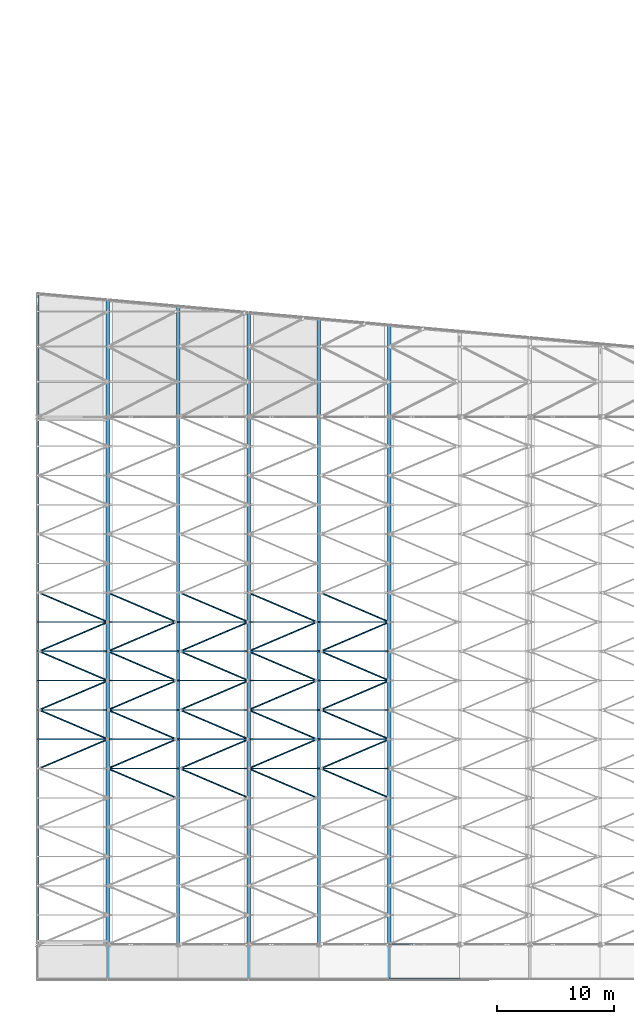
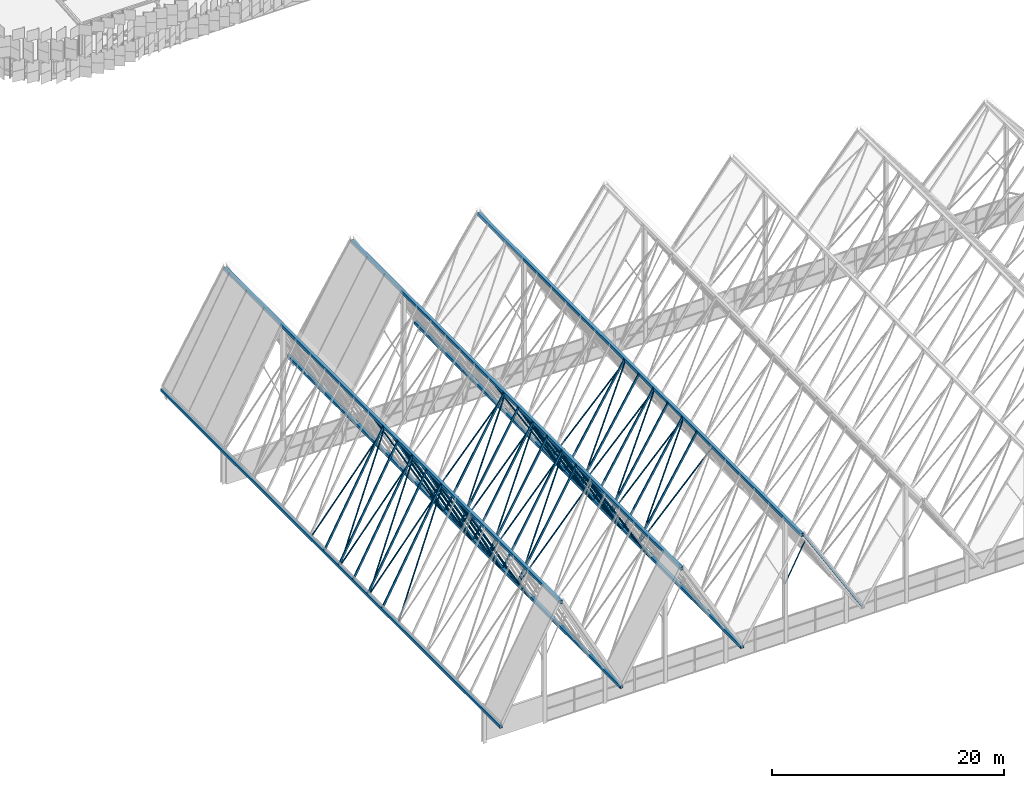
# One storey, part 15 of 483: 70 members, 1 beam.
"""IFC4 building model written with IfcOpenShell, lengths in metres."""

from ifc_helpers import new_model, si_unit, direction, frame, origin, origin_2d, place, context, subcontext, project, spatial, hollow_rectangle, hollow_circle, extrude, material, material_profile, profile_set, type_object, element, save


model = new_model("IFC4")

# Units and contexts
model_context = context("Model", 3, precision=1e-05, world=origin(), true_north=direction((0.0, 1.0)))
body_context = subcontext(model_context, "Body", "Model", "MODEL_VIEW")
ifc_project = project(units=[si_unit("LENGTHUNIT", "METRE"), si_unit("AREAUNIT", "SQUARE_METRE"), si_unit("VOLUMEUNIT", "CUBIC_METRE"), si_unit("PLANEANGLEUNIT", "RADIAN"), si_unit("MASSUNIT", "GRAM", prefix="KILO")], contexts=[model_context])

# Site, building, storey
site_placement = place(None, origin())
site = spatial("IfcSite", under=ifc_project, at=site_placement, CompositionType="ELEMENT")
building_placement = place(site_placement, origin())
building = spatial("IfcBuilding", under=site, at=building_placement, Name="Parallax Yard Mobility Hub", CompositionType="ELEMENT")
storey_placement = place(building_placement, frame((0.0, 0.0, 13.199951171875)))
storey = spatial("IfcBuildingStorey", under=building, at=storey_placement, Name="L04", CompositionType="ELEMENT", Elevation=13.199951171875)

# Members
ifc_material = material(Name="Steel ASTM A500 Gr C", Category="steel")
ifc_material_profile_1 = material_profile(ifc_material, hollow_rectangle(XDim=0.25390625, YDim=0.3046875, WallThickness=0.009521484375, at=origin_2d()), Name="HSS305x254x9.5")
ifc_profile_set_1 = profile_set([ifc_material_profile_1], Name="Steel ASTM A500 Gr C")
member_type_1 = type_object("IfcMemberType", Name="Fold chord HSS305x254x9.5", PredefinedType="CHORD", material=ifc_profile_set_1)
member_1_placement = place(storey_placement, frame((9.0, 4.5, 3.452392578125), z_axis=(0.0, 1.0, 0.0), x_axis=(-1.0, 0.0, 0.0)))
element("IfcMember", 1, at=member_1_placement, inside=storey, type_object=member_type_1, Name="Fold line F1 chord", PredefinedType="CHORD", context=body_context, shape_type="SweptSolid", body=[
    extrude(hollow_rectangle(XDim=0.25390625, YDim=0.3046875, WallThickness=0.009521484375, at=origin_2d()), origin(), (0.0, 0.0, 1.0), 58.5),
])
ifc_material_profile_2 = material_profile(ifc_material, hollow_rectangle(XDim=0.3046875, YDim=0.3046875, WallThickness=0.0126953125, at=origin_2d()), Name="HSS305x305x12.7")
ifc_profile_set_2 = profile_set([ifc_material_profile_2], Name="Steel ASTM A500 Gr C")
member_type_2 = type_object("IfcMemberType", Name="Fold chord HSS305x305x12.7", PredefinedType="CHORD", material=ifc_profile_set_2)
member_2_placement = place(storey_placement, frame((15.0, 4.5, 14.452392578125), z_axis=(0.0, 1.0, 0.0), x_axis=(-1.0, 0.0, 0.0)))
element("IfcMember", 2, at=member_2_placement, inside=storey, type_object=member_type_2, Name="Fold line F2 chord", PredefinedType="CHORD", context=body_context, shape_type="SweptSolid", body=[
    extrude(hollow_rectangle(XDim=0.3046875, YDim=0.3046875, WallThickness=0.0126953125, at=origin_2d()), origin(), (0.0, 0.0, 1.0), 57.96435546875),
])
member_3_placement = place(storey_placement, frame((27.0, 4.5, 13.785400390625), z_axis=(0.0, 1.0, 0.0), x_axis=(-1.0, 0.0, 0.0)))
element("IfcMember", 3, at=member_3_placement, inside=storey, type_object=member_type_2, Name="Fold line F4 chord", PredefinedType="CHORD", context=body_context, shape_type="SweptSolid", body=[
    extrude(hollow_rectangle(XDim=0.3046875, YDim=0.3046875, WallThickness=0.0126953125, at=origin_2d()), origin(), (0.0, 0.0, 1.0), 56.892822265625),
])
member_4_placement = place(storey_placement, frame((39.0, 4.5, 13.119384765625), z_axis=(0.0, 1.0, 0.0), x_axis=(-1.0, 0.0, 0.0)))
element("IfcMember", 4, at=member_4_placement, inside=storey, type_object=member_type_2, Name="Fold line F6 chord", PredefinedType="CHORD", context=body_context, shape_type="SweptSolid", body=[
    extrude(hollow_rectangle(XDim=0.3046875, YDim=0.3046875, WallThickness=0.0126953125, at=origin_2d()), origin(), (0.0, 0.0, 1.0), 55.8212890625),
])
ifc_material_profile_3 = material_profile(ifc_material, hollow_rectangle(XDim=0.3046875, YDim=0.3046875, WallThickness=0.009521484375, at=origin_2d()), Name="HSS305x305x9.5")
ifc_profile_set_3 = profile_set([ifc_material_profile_3], Name="Steel ASTM A500 Gr C")
member_type_3 = type_object("IfcMemberType", Name="Fold chord HSS305x305x9.5", PredefinedType="CHORD", material=ifc_profile_set_3)
member_5_placement = place(storey_placement, frame((21.0, 4.5, 3.452392578125), z_axis=(0.0, 1.0, 0.0), x_axis=(-1.0, 0.0, 0.0)))
element("IfcMember", 5, at=member_5_placement, inside=storey, type_object=member_type_3, Name="Fold line F3 chord", PredefinedType="CHORD", context=body_context, shape_type="SweptSolid", body=[
    extrude(hollow_rectangle(XDim=0.3046875, YDim=0.3046875, WallThickness=0.009521484375, at=origin_2d()), origin(), (0.0, 0.0, 1.0), 57.4287109375),
])
member_6_placement = place(storey_placement, frame((33.0, 4.5, 3.452392578125), z_axis=(0.0, 1.0, 0.0), x_axis=(-1.0, 0.0, 0.0)))
element("IfcMember", 6, at=member_6_placement, inside=storey, type_object=member_type_3, Name="Fold line F5 chord", PredefinedType="CHORD", context=body_context, shape_type="SweptSolid", body=[
    extrude(hollow_rectangle(XDim=0.3046875, YDim=0.3046875, WallThickness=0.009521484375, at=origin_2d()), origin(), (0.0, 0.0, 1.0), 56.357177734375),
])
ifc_material_profile_4 = material_profile(ifc_material, hollow_circle(Radius=0.05712890625, WallThickness=0.006103515625, at=origin_2d()), Name="HSS114.3x6.0")
ifc_profile_set_4 = profile_set([ifc_material_profile_4], Name="Steel ASTM A500 Gr C")
member_type_4 = type_object("IfcMemberType", Name="Knee brace HSS114.3x6.0", PredefinedType="BRACE", material=ifc_profile_set_4)
member_7_placement = place(storey_placement, frame((39.0, 7.5, 6.2001953125), z_axis=(0.460015544086, 0.0, 0.887910862193), x_axis=(0.0, 1.0, 0.0)))
element("IfcMember", 7, at=member_7_placement, inside=storey, type_object=member_type_4, Name="Gable knee brace F6 south east", PredefinedType="BRACE", context=body_context, shape_type="SweptSolid", body=[
    extrude(hollow_circle(Radius=0.05712890625, WallThickness=0.006103515625, at=origin_2d()), origin(), (0.0, 0.0, 1.0), 4.34765625),
])
ifc_material_profile_5 = material_profile(ifc_material, hollow_circle(Radius=0.06982421875, WallThickness=0.00634765625, at=origin_2d()), Name="HSS139.7x6.4")
ifc_profile_set_5 = profile_set([ifc_material_profile_5], Name="Steel ASTM A500 Gr C")
member_type_5 = type_object("IfcMemberType", Name="Plate diagonal HSS139.7x6.4", PredefinedType="BRACE", material=ifc_profile_set_5)
member_8_placement = place(storey_placement, frame((32.84765625, 20.0, 3.41357421875), z_axis=(-0.484498667157, 0.207133698718, 0.849915685452), x_axis=(-0.393103707527, -0.919494140888, 0.0)))
element("IfcMember", 8, at=member_8_placement, inside=storey, type_object=member_type_5, Name="Plate diagonal plate F4-F5 bay 6", PredefinedType="BRACE", context=body_context, shape_type="SweptSolid", body=[
    extrude(hollow_circle(Radius=0.06982421875, WallThickness=0.00634765625, at=origin_2d()), origin(), (0.0, 0.0, 1.0), 12.069580078125),
])
member_9_placement = place(storey_placement, frame((39.0, 20.0, 13.01513671875), z_axis=(-0.507735199294, 0.217067820673, -0.833718494833), x_axis=(-0.393103707527, -0.919494140888, 0.0)))
element("IfcMember", 9, at=member_9_placement, inside=storey, type_object=member_type_5, Name="Plate diagonal plate F5-F6 bay 6", PredefinedType="BRACE", context=body_context, shape_type="SweptSolid", body=[
    extrude(hollow_circle(Radius=0.06982421875, WallThickness=0.00634765625, at=origin_2d()), origin(), (0.0, 0.0, 1.0), 11.51708984375),
])
member_10_placement = place(storey_placement, frame((20.84765625, 20.0, 3.413818359375), z_axis=(-0.462901196047, 0.197900310935, 0.864035849736), x_axis=(-0.393103707527, -0.919494140888, 0.0)))
element("IfcMember", 10, at=member_10_placement, inside=storey, type_object=member_type_5, Name="Plate diagonal plate F2-F3 bay 6", PredefinedType="BRACE", context=body_context, shape_type="SweptSolid", body=[
    extrude(hollow_circle(Radius=0.06982421875, WallThickness=0.00634765625, at=origin_2d()), origin(), (0.0, 0.0, 1.0), 12.632568359375),
])
for number, where, z_axis, x_axis, name in (
    (11, (27.0, 20.0, 13.671630859375), (-0.484498667157, 0.207133698718, -0.849915685452), (-0.393103707527, -0.919494140888, 0.0), "Plate diagonal plate F3-F4 bay 6"),
    (12, (27.0, 22.5, 13.671630859375), (0.484498667157, 0.207133698718, -0.849915685452), (-0.393103707527, 0.919494140888, 0.0), "Plate diagonal plate F4-F5 bay 7"),
):
    element("IfcMember", number, at=place(storey_placement, frame(where, z_axis=z_axis, x_axis=x_axis)), inside=storey, type_object=member_type_5, Name=name, PredefinedType="BRACE", context=body_context, shape_type="SweptSolid", body=[
        extrude(hollow_circle(Radius=0.06982421875, WallThickness=0.00634765625, at=origin_2d()), origin(), (0.0, 0.0, 1.0), 12.069580078125),
    ])
member_11_placement = place(storey_placement, frame((33.15234375, 22.5, 3.4130859375), z_axis=(0.507735199294, 0.217067820673, 0.833718494833), x_axis=(-0.393103707527, 0.919494140888, 0.0)))
element("IfcMember", 13, at=member_11_placement, inside=storey, type_object=member_type_5, Name="Plate diagonal plate F5-F6 bay 7", PredefinedType="BRACE", context=body_context, shape_type="SweptSolid", body=[
    extrude(hollow_circle(Radius=0.06982421875, WallThickness=0.00634765625, at=origin_2d()), origin(), (0.0, 0.0, 1.0), 11.51708984375),
])
member_12_placement = place(storey_placement, frame((9.126953125, 22.5, 3.366455078125), z_axis=(0.462980370369, 0.19707844166, 0.864181268303), x_axis=(-0.391665406317, 0.920107716246, 0.0)))
element("IfcMember", 14, at=member_12_placement, inside=storey, type_object=member_type_5, Name="Plate diagonal plate F1-F2 bay 7", PredefinedType="BRACE", context=body_context, shape_type="SweptSolid", body=[
    extrude(hollow_circle(Radius=0.06982421875, WallThickness=0.00634765625, at=origin_2d()), origin(), (0.0, 0.0, 1.0), 12.685302734375),
])
member_13_placement = place(storey_placement, frame((15.0, 22.5, 14.328857421875), z_axis=(0.462901196047, 0.197900310935, -0.864035849736), x_axis=(-0.393103707527, 0.919494140888, 0.0)))
element("IfcMember", 15, at=member_13_placement, inside=storey, type_object=member_type_5, Name="Plate diagonal plate F2-F3 bay 7", PredefinedType="BRACE", context=body_context, shape_type="SweptSolid", body=[
    extrude(hollow_circle(Radius=0.06982421875, WallThickness=0.00634765625, at=origin_2d()), origin(), (0.0, 0.0, 1.0), 12.632568359375),
])
for number, where, z_axis, x_axis, name in (
    (16, (21.15234375, 22.5, 3.41357421875), (0.484498667157, 0.207133698718, 0.849915685452), (-0.393103707527, 0.919494140888, 0.0), "Plate diagonal plate F3-F4 bay 7"),
    (17, (32.84765625, 25.0, 3.41357421875), (-0.484498667157, 0.207133698718, 0.849915685452), (-0.393103707527, -0.919494140888, 0.0), "Plate diagonal plate F4-F5 bay 8"),
):
    element("IfcMember", number, at=place(storey_placement, frame(where, z_axis=z_axis, x_axis=x_axis)), inside=storey, type_object=member_type_5, Name=name, PredefinedType="BRACE", context=body_context, shape_type="SweptSolid", body=[
        extrude(hollow_circle(Radius=0.06982421875, WallThickness=0.00634765625, at=origin_2d()), origin(), (0.0, 0.0, 1.0), 12.069580078125),
    ])
member_14_placement = place(storey_placement, frame((39.0, 25.0, 13.01513671875), z_axis=(-0.507735199294, 0.217067820673, -0.833718494833), x_axis=(-0.393103707527, -0.919494140888, 0.0)))
element("IfcMember", 18, at=member_14_placement, inside=storey, type_object=member_type_5, Name="Plate diagonal plate F5-F6 bay 8", PredefinedType="BRACE", context=body_context, shape_type="SweptSolid", body=[
    extrude(hollow_circle(Radius=0.06982421875, WallThickness=0.00634765625, at=origin_2d()), origin(), (0.0, 0.0, 1.0), 11.51708984375),
])
member_15_placement = place(storey_placement, frame((15.0, 25.0, 14.328857421875), z_axis=(-0.462980370369, 0.19707844166, -0.864181268303), x_axis=(-0.391665406317, -0.920107716246, 0.0)))
element("IfcMember", 19, at=member_15_placement, inside=storey, type_object=member_type_5, Name="Plate diagonal plate F1-F2 bay 8", PredefinedType="BRACE", context=body_context, shape_type="SweptSolid", body=[
    extrude(hollow_circle(Radius=0.06982421875, WallThickness=0.00634765625, at=origin_2d()), origin(), (0.0, 0.0, 1.0), 12.685302734375),
])
member_16_placement = place(storey_placement, frame((20.84765625, 25.0, 3.413818359375), z_axis=(-0.462901196047, 0.197900310935, 0.864035849736), x_axis=(-0.393103707527, -0.919494140888, 0.0)))
element("IfcMember", 20, at=member_16_placement, inside=storey, type_object=member_type_5, Name="Plate diagonal plate F2-F3 bay 8", PredefinedType="BRACE", context=body_context, shape_type="SweptSolid", body=[
    extrude(hollow_circle(Radius=0.06982421875, WallThickness=0.00634765625, at=origin_2d()), origin(), (0.0, 0.0, 1.0), 12.632568359375),
])
for number, where, z_axis, x_axis, name in (
    (21, (27.0, 25.0, 13.671630859375), (-0.484498667157, 0.207133698718, -0.849915685452), (-0.393103707527, -0.919494140888, 0.0), "Plate diagonal plate F3-F4 bay 8"),
    (22, (27.0, 27.5, 13.671630859375), (0.484498667157, 0.207133698718, -0.849915685452), (-0.393103707527, 0.919494140888, 0.0), "Plate diagonal plate F4-F5 bay 9"),
):
    element("IfcMember", number, at=place(storey_placement, frame(where, z_axis=z_axis, x_axis=x_axis)), inside=storey, type_object=member_type_5, Name=name, PredefinedType="BRACE", context=body_context, shape_type="SweptSolid", body=[
        extrude(hollow_circle(Radius=0.06982421875, WallThickness=0.00634765625, at=origin_2d()), origin(), (0.0, 0.0, 1.0), 12.069580078125),
    ])
member_17_placement = place(storey_placement, frame((33.15234375, 27.5, 3.4130859375), z_axis=(0.507735199294, 0.217067820673, 0.833718494833), x_axis=(-0.393103707527, 0.919494140888, 0.0)))
element("IfcMember", 23, at=member_17_placement, inside=storey, type_object=member_type_5, Name="Plate diagonal plate F5-F6 bay 9", PredefinedType="BRACE", context=body_context, shape_type="SweptSolid", body=[
    extrude(hollow_circle(Radius=0.06982421875, WallThickness=0.00634765625, at=origin_2d()), origin(), (0.0, 0.0, 1.0), 11.51708984375),
])
member_18_placement = place(storey_placement, frame((9.126953125, 27.5, 3.366455078125), z_axis=(0.462980370369, 0.19707844166, 0.864181268303), x_axis=(-0.391665406317, 0.920107716246, 0.0)))
element("IfcMember", 24, at=member_18_placement, inside=storey, type_object=member_type_5, Name="Plate diagonal plate F1-F2 bay 9", PredefinedType="BRACE", context=body_context, shape_type="SweptSolid", body=[
    extrude(hollow_circle(Radius=0.06982421875, WallThickness=0.00634765625, at=origin_2d()), origin(), (0.0, 0.0, 1.0), 12.685302734375),
])
member_19_placement = place(storey_placement, frame((15.0, 27.5, 14.328857421875), z_axis=(0.462901196047, 0.197900310935, -0.864035849736), x_axis=(-0.393103707527, 0.919494140888, 0.0)))
element("IfcMember", 25, at=member_19_placement, inside=storey, type_object=member_type_5, Name="Plate diagonal plate F2-F3 bay 9", PredefinedType="BRACE", context=body_context, shape_type="SweptSolid", body=[
    extrude(hollow_circle(Radius=0.06982421875, WallThickness=0.00634765625, at=origin_2d()), origin(), (0.0, 0.0, 1.0), 12.632568359375),
])
for number, where, z_axis, x_axis, name in (
    (26, (21.15234375, 27.5, 3.41357421875), (0.484498667157, 0.207133698718, 0.849915685452), (-0.393103707527, 0.919494140888, 0.0), "Plate diagonal plate F3-F4 bay 9"),
    (27, (32.84765625, 30.0, 3.41357421875), (-0.484498667157, 0.207133698718, 0.849915685452), (-0.393103707527, -0.919494140888, 0.0), "Plate diagonal plate F4-F5 bay 10"),
):
    element("IfcMember", number, at=place(storey_placement, frame(where, z_axis=z_axis, x_axis=x_axis)), inside=storey, type_object=member_type_5, Name=name, PredefinedType="BRACE", context=body_context, shape_type="SweptSolid", body=[
        extrude(hollow_circle(Radius=0.06982421875, WallThickness=0.00634765625, at=origin_2d()), origin(), (0.0, 0.0, 1.0), 12.069580078125),
    ])
member_20_placement = place(storey_placement, frame((39.0, 30.0, 13.01513671875), z_axis=(-0.507735199294, 0.217067820673, -0.833718494833), x_axis=(-0.393103707527, -0.919494140888, 0.0)))
element("IfcMember", 28, at=member_20_placement, inside=storey, type_object=member_type_5, Name="Plate diagonal plate F5-F6 bay 10", PredefinedType="BRACE", context=body_context, shape_type="SweptSolid", body=[
    extrude(hollow_circle(Radius=0.06982421875, WallThickness=0.00634765625, at=origin_2d()), origin(), (0.0, 0.0, 1.0), 11.51708984375),
])
member_21_placement = place(storey_placement, frame((15.0, 30.0, 14.328857421875), z_axis=(-0.462980370369, 0.19707844166, -0.864181268303), x_axis=(-0.391665406317, -0.920107716246, 0.0)))
element("IfcMember", 29, at=member_21_placement, inside=storey, type_object=member_type_5, Name="Plate diagonal plate F1-F2 bay 10", PredefinedType="BRACE", context=body_context, shape_type="SweptSolid", body=[
    extrude(hollow_circle(Radius=0.06982421875, WallThickness=0.00634765625, at=origin_2d()), origin(), (0.0, 0.0, 1.0), 12.685302734375),
])
member_22_placement = place(storey_placement, frame((20.84765625, 30.0, 3.413818359375), z_axis=(-0.462901196047, 0.197900310935, 0.864035849736), x_axis=(-0.393103707527, -0.919494140888, 0.0)))
element("IfcMember", 30, at=member_22_placement, inside=storey, type_object=member_type_5, Name="Plate diagonal plate F2-F3 bay 10", PredefinedType="BRACE", context=body_context, shape_type="SweptSolid", body=[
    extrude(hollow_circle(Radius=0.06982421875, WallThickness=0.00634765625, at=origin_2d()), origin(), (0.0, 0.0, 1.0), 12.632568359375),
])
for number, where, z_axis, x_axis, name in (
    (31, (27.0, 30.0, 13.671630859375), (-0.484498667157, 0.207133698718, -0.849915685452), (-0.393103707527, -0.919494140888, 0.0), "Plate diagonal plate F3-F4 bay 10"),
    (32, (27.0, 32.5, 13.671630859375), (0.484498667157, 0.207133698718, -0.849915685452), (-0.393103707527, 0.919494140888, 0.0), "Plate diagonal plate F4-F5 bay 11"),
):
    element("IfcMember", number, at=place(storey_placement, frame(where, z_axis=z_axis, x_axis=x_axis)), inside=storey, type_object=member_type_5, Name=name, PredefinedType="BRACE", context=body_context, shape_type="SweptSolid", body=[
        extrude(hollow_circle(Radius=0.06982421875, WallThickness=0.00634765625, at=origin_2d()), origin(), (0.0, 0.0, 1.0), 12.069580078125),
    ])
member_23_placement = place(storey_placement, frame((33.15234375, 32.5, 3.4130859375), z_axis=(0.507735199294, 0.217067820673, 0.833718494833), x_axis=(-0.393103707527, 0.919494140888, 0.0)))
element("IfcMember", 33, at=member_23_placement, inside=storey, type_object=member_type_5, Name="Plate diagonal plate F5-F6 bay 11", PredefinedType="BRACE", context=body_context, shape_type="SweptSolid", body=[
    extrude(hollow_circle(Radius=0.06982421875, WallThickness=0.00634765625, at=origin_2d()), origin(), (0.0, 0.0, 1.0), 11.51708984375),
])
member_24_placement = place(storey_placement, frame((9.126953125, 32.5, 3.366455078125), z_axis=(0.462980370369, 0.19707844166, 0.864181268303), x_axis=(-0.391665406317, 0.920107716246, 0.0)))
element("IfcMember", 34, at=member_24_placement, inside=storey, type_object=member_type_5, Name="Plate diagonal plate F1-F2 bay 11", PredefinedType="BRACE", context=body_context, shape_type="SweptSolid", body=[
    extrude(hollow_circle(Radius=0.06982421875, WallThickness=0.00634765625, at=origin_2d()), origin(), (0.0, 0.0, 1.0), 12.685302734375),
])
member_25_placement = place(storey_placement, frame((15.0, 32.5, 14.328857421875), z_axis=(0.462901196047, 0.197900310935, -0.864035849736), x_axis=(-0.393103707527, 0.919494140888, 0.0)))
element("IfcMember", 35, at=member_25_placement, inside=storey, type_object=member_type_5, Name="Plate diagonal plate F2-F3 bay 11", PredefinedType="BRACE", context=body_context, shape_type="SweptSolid", body=[
    extrude(hollow_circle(Radius=0.06982421875, WallThickness=0.00634765625, at=origin_2d()), origin(), (0.0, 0.0, 1.0), 12.632568359375),
])
for number, where, z_axis, x_axis, name in (
    (36, (21.15234375, 32.5, 3.41357421875), (0.484498667157, 0.207133698718, 0.849915685452), (-0.393103707527, 0.919494140888, 0.0), "Plate diagonal plate F3-F4 bay 11"),
    (37, (32.84765625, 35.0, 3.41357421875), (-0.484498667157, 0.207133698718, 0.849915685452), (-0.393103707527, -0.919494140888, 0.0), "Plate diagonal plate F4-F5 bay 12"),
):
    element("IfcMember", number, at=place(storey_placement, frame(where, z_axis=z_axis, x_axis=x_axis)), inside=storey, type_object=member_type_5, Name=name, PredefinedType="BRACE", context=body_context, shape_type="SweptSolid", body=[
        extrude(hollow_circle(Radius=0.06982421875, WallThickness=0.00634765625, at=origin_2d()), origin(), (0.0, 0.0, 1.0), 12.069580078125),
    ])
member_26_placement = place(storey_placement, frame((39.0, 35.0, 13.01513671875), z_axis=(-0.507735199294, 0.217067820673, -0.833718494833), x_axis=(-0.393103707527, -0.919494140888, 0.0)))
element("IfcMember", 38, at=member_26_placement, inside=storey, type_object=member_type_5, Name="Plate diagonal plate F5-F6 bay 12", PredefinedType="BRACE", context=body_context, shape_type="SweptSolid", body=[
    extrude(hollow_circle(Radius=0.06982421875, WallThickness=0.00634765625, at=origin_2d()), origin(), (0.0, 0.0, 1.0), 11.51708984375),
])
member_27_placement = place(storey_placement, frame((15.0, 35.0, 14.328857421875), z_axis=(-0.462980370369, 0.19707844166, -0.864181268303), x_axis=(-0.391665406317, -0.920107716246, 0.0)))
element("IfcMember", 39, at=member_27_placement, inside=storey, type_object=member_type_5, Name="Plate diagonal plate F1-F2 bay 12", PredefinedType="BRACE", context=body_context, shape_type="SweptSolid", body=[
    extrude(hollow_circle(Radius=0.06982421875, WallThickness=0.00634765625, at=origin_2d()), origin(), (0.0, 0.0, 1.0), 12.685302734375),
])
member_28_placement = place(storey_placement, frame((20.84765625, 35.0, 3.413818359375), z_axis=(-0.462901196047, 0.197900310935, 0.864035849736), x_axis=(-0.393103707527, -0.919494140888, 0.0)))
element("IfcMember", 40, at=member_28_placement, inside=storey, type_object=member_type_5, Name="Plate diagonal plate F2-F3 bay 12", PredefinedType="BRACE", context=body_context, shape_type="SweptSolid", body=[
    extrude(hollow_circle(Radius=0.06982421875, WallThickness=0.00634765625, at=origin_2d()), origin(), (0.0, 0.0, 1.0), 12.632568359375),
])
member_29_placement = place(storey_placement, frame((27.0, 35.0, 13.671630859375), z_axis=(-0.484498667157, 0.207133698718, -0.849915685452), x_axis=(-0.393103707527, -0.919494140888, 0.0)))
element("IfcMember", 41, at=member_29_placement, inside=storey, type_object=member_type_5, Name="Plate diagonal plate F3-F4 bay 12", PredefinedType="BRACE", context=body_context, shape_type="SweptSolid", body=[
    extrude(hollow_circle(Radius=0.06982421875, WallThickness=0.00634765625, at=origin_2d()), origin(), (0.0, 0.0, 1.0), 12.069580078125),
])

# Beam
ifc_material_profile_6 = material_profile(ifc_material, hollow_rectangle(XDim=0.1015625, YDim=0.203125, WallThickness=0.00634765625, at=origin_2d()), Name="HSS203x102x6.4")
ifc_profile_set_6 = profile_set([ifc_material_profile_6], Name="Steel ASTM A500 Gr C")
beam_type = type_object("IfcBeamType", Name="Roof edge beam HSS203x102x6.4", PredefinedType="SPANDREL", material=ifc_profile_set_6)
beam_placement = place(storey_placement, frame((39.065673828125, 4.56005859375, 13.237060546875), z_axis=(0.520123935721, 0.0, -0.854090798153), x_axis=(0.0, 1.0, 0.0)))
element("IfcBeam", 42, at=beam_placement, inside=storey, type_object=beam_type, Name="Edge beam plate F6-F7 south eave", PredefinedType="SPANDREL", context=body_context, shape_type="SweptSolid", body=[
    extrude(hollow_rectangle(XDim=0.1015625, YDim=0.203125, WallThickness=0.00634765625, at=origin_2d()), origin(), (0.0, 0.0, 1.0), 11.376953125),
])

# Members
ifc_material_profile_7 = material_profile(ifc_material, hollow_rectangle(XDim=0.1015625, YDim=0.203125, WallThickness=0.00634765625, at=origin_2d()), Name="HSS203x102x6.4")
ifc_profile_set_7 = profile_set([ifc_material_profile_7], Name="Steel ASTM A500 Gr C")
member_type_6 = type_object("IfcMemberType", Name="Roof rafter HSS203x102x6.4", PredefinedType="RAFTER", material=ifc_profile_set_7)
member_30_placement = place(storey_placement, frame((15.062744140625, 22.5, 14.57470703125), z_axis=(0.472246823162, 0.0, -0.881466356711), x_axis=(0.0, 1.0, 0.0)))
element("IfcMember", 43, at=member_30_placement, inside=storey, type_object=member_type_6, Name="Roof rafter plate F2-F3 at y 22.5", PredefinedType="RAFTER", context=body_context, shape_type="SweptSolid", body=[
    extrude(hollow_rectangle(XDim=0.1015625, YDim=0.203125, WallThickness=0.00634765625, at=origin_2d()), origin(), (0.0, 0.0, 1.0), 12.531005859375),
])
for number, where, z_axis, x_axis, name in (
    (44, (21.018310546875, 22.5, 3.5244140625), (0.495218927733, 0.0, 0.868768216278), (0.0, 1.0, 0.0), "Roof rafter plate F3-F4 at y 22.5"),
    (45, (27.064208984375, 22.5, 13.905517578125), (0.495218927733, 0.0, -0.868768216278), (0.0, 1.0, 0.0), "Roof rafter plate F4-F5 at y 22.5"),
):
    element("IfcMember", number, at=place(storey_placement, frame(where, z_axis=z_axis, x_axis=x_axis)), inside=storey, type_object=member_type_6, Name=name, PredefinedType="RAFTER", context=body_context, shape_type="SweptSolid", body=[
        extrude(hollow_rectangle(XDim=0.1015625, YDim=0.203125, WallThickness=0.00634765625, at=origin_2d()), origin(), (0.0, 0.0, 1.0), 11.94921875),
    ])
member_31_placement = place(storey_placement, frame((33.016845703125, 22.5, 3.52001953125), z_axis=(0.520123935721, 0.0, 0.854090798153), x_axis=(0.0, 1.0, 0.0)))
element("IfcMember", 46, at=member_31_placement, inside=storey, type_object=member_type_6, Name="Roof rafter plate F5-F6 at y 22.5", PredefinedType="RAFTER", context=body_context, shape_type="SweptSolid", body=[
    extrude(hollow_rectangle(XDim=0.1015625, YDim=0.203125, WallThickness=0.00634765625, at=origin_2d()), origin(), (0.0, 0.0, 1.0), 11.376953125),
])
for number, where, z_axis, x_axis, name in (
    (47, (9.01953125, 25.0, 3.529052734375), (0.472246823162, 0.0, 0.881466356711), (0.0, 1.0, 0.0), "Roof rafter plate F1-F2 at y 25"),
    (48, (15.062744140625, 25.0, 14.57470703125), (0.472246823162, 0.0, -0.881466356711), (0.0, 1.0, 0.0), "Roof rafter plate F2-F3 at y 25"),
):
    element("IfcMember", number, at=place(storey_placement, frame(where, z_axis=z_axis, x_axis=x_axis)), inside=storey, type_object=member_type_6, Name=name, PredefinedType="RAFTER", context=body_context, shape_type="SweptSolid", body=[
        extrude(hollow_rectangle(XDim=0.1015625, YDim=0.203125, WallThickness=0.00634765625, at=origin_2d()), origin(), (0.0, 0.0, 1.0), 12.531005859375),
    ])
for number, where, z_axis, x_axis, name in (
    (49, (21.018310546875, 25.0, 3.5244140625), (0.495218927733, 0.0, 0.868768216278), (0.0, 1.0, 0.0), "Roof rafter plate F3-F4 at y 25"),
    (50, (27.064208984375, 25.0, 13.905517578125), (0.495218927733, 0.0, -0.868768216278), (0.0, 1.0, 0.0), "Roof rafter plate F4-F5 at y 25"),
):
    element("IfcMember", number, at=place(storey_placement, frame(where, z_axis=z_axis, x_axis=x_axis)), inside=storey, type_object=member_type_6, Name=name, PredefinedType="RAFTER", context=body_context, shape_type="SweptSolid", body=[
        extrude(hollow_rectangle(XDim=0.1015625, YDim=0.203125, WallThickness=0.00634765625, at=origin_2d()), origin(), (0.0, 0.0, 1.0), 11.94921875),
    ])
member_32_placement = place(storey_placement, frame((33.016845703125, 25.0, 3.52001953125), z_axis=(0.520123935721, 0.0, 0.854090798153), x_axis=(0.0, 1.0, 0.0)))
element("IfcMember", 51, at=member_32_placement, inside=storey, type_object=member_type_6, Name="Roof rafter plate F5-F6 at y 25", PredefinedType="RAFTER", context=body_context, shape_type="SweptSolid", body=[
    extrude(hollow_rectangle(XDim=0.1015625, YDim=0.203125, WallThickness=0.00634765625, at=origin_2d()), origin(), (0.0, 0.0, 1.0), 11.376953125),
])
for number, where, z_axis, x_axis, name in (
    (52, (9.01953125, 27.5, 3.529052734375), (0.472246823162, 0.0, 0.881466356711), (0.0, 1.0, 0.0), "Roof rafter plate F1-F2 at y 27.5"),
    (53, (15.062744140625, 27.5, 14.57470703125), (0.472246823162, 0.0, -0.881466356711), (0.0, 1.0, 0.0), "Roof rafter plate F2-F3 at y 27.5"),
):
    element("IfcMember", number, at=place(storey_placement, frame(where, z_axis=z_axis, x_axis=x_axis)), inside=storey, type_object=member_type_6, Name=name, PredefinedType="RAFTER", context=body_context, shape_type="SweptSolid", body=[
        extrude(hollow_rectangle(XDim=0.1015625, YDim=0.203125, WallThickness=0.00634765625, at=origin_2d()), origin(), (0.0, 0.0, 1.0), 12.531005859375),
    ])
for number, where, z_axis, x_axis, name in (
    (54, (21.018310546875, 27.5, 3.5244140625), (0.495218927733, 0.0, 0.868768216278), (0.0, 1.0, 0.0), "Roof rafter plate F3-F4 at y 27.5"),
    (55, (27.064208984375, 27.5, 13.905517578125), (0.495218927733, 0.0, -0.868768216278), (0.0, 1.0, 0.0), "Roof rafter plate F4-F5 at y 27.5"),
):
    element("IfcMember", number, at=place(storey_placement, frame(where, z_axis=z_axis, x_axis=x_axis)), inside=storey, type_object=member_type_6, Name=name, PredefinedType="RAFTER", context=body_context, shape_type="SweptSolid", body=[
        extrude(hollow_rectangle(XDim=0.1015625, YDim=0.203125, WallThickness=0.00634765625, at=origin_2d()), origin(), (0.0, 0.0, 1.0), 11.94921875),
    ])
member_33_placement = place(storey_placement, frame((33.016845703125, 27.5, 3.52001953125), z_axis=(0.520123935721, 0.0, 0.854090798153), x_axis=(0.0, 1.0, 0.0)))
element("IfcMember", 56, at=member_33_placement, inside=storey, type_object=member_type_6, Name="Roof rafter plate F5-F6 at y 27.5", PredefinedType="RAFTER", context=body_context, shape_type="SweptSolid", body=[
    extrude(hollow_rectangle(XDim=0.1015625, YDim=0.203125, WallThickness=0.00634765625, at=origin_2d()), origin(), (0.0, 0.0, 1.0), 11.376953125),
])
for number, where, z_axis, x_axis, name in (
    (57, (9.01953125, 30.0, 3.529052734375), (0.472246823162, 0.0, 0.881466356711), (0.0, 1.0, 0.0), "Roof rafter plate F1-F2 at y 30"),
    (58, (15.062744140625, 30.0, 14.57470703125), (0.472246823162, 0.0, -0.881466356711), (0.0, 1.0, 0.0), "Roof rafter plate F2-F3 at y 30"),
):
    element("IfcMember", number, at=place(storey_placement, frame(where, z_axis=z_axis, x_axis=x_axis)), inside=storey, type_object=member_type_6, Name=name, PredefinedType="RAFTER", context=body_context, shape_type="SweptSolid", body=[
        extrude(hollow_rectangle(XDim=0.1015625, YDim=0.203125, WallThickness=0.00634765625, at=origin_2d()), origin(), (0.0, 0.0, 1.0), 12.531005859375),
    ])
for number, where, z_axis, x_axis, name in (
    (59, (21.018310546875, 30.0, 3.5244140625), (0.495218927733, 0.0, 0.868768216278), (0.0, 1.0, 0.0), "Roof rafter plate F3-F4 at y 30"),
    (60, (27.064208984375, 30.0, 13.905517578125), (0.495218927733, 0.0, -0.868768216278), (0.0, 1.0, 0.0), "Roof rafter plate F4-F5 at y 30"),
):
    element("IfcMember", number, at=place(storey_placement, frame(where, z_axis=z_axis, x_axis=x_axis)), inside=storey, type_object=member_type_6, Name=name, PredefinedType="RAFTER", context=body_context, shape_type="SweptSolid", body=[
        extrude(hollow_rectangle(XDim=0.1015625, YDim=0.203125, WallThickness=0.00634765625, at=origin_2d()), origin(), (0.0, 0.0, 1.0), 11.94921875),
    ])
member_34_placement = place(storey_placement, frame((33.016845703125, 30.0, 3.52001953125), z_axis=(0.520123935721, 0.0, 0.854090798153), x_axis=(0.0, 1.0, 0.0)))
element("IfcMember", 61, at=member_34_placement, inside=storey, type_object=member_type_6, Name="Roof rafter plate F5-F6 at y 30", PredefinedType="RAFTER", context=body_context, shape_type="SweptSolid", body=[
    extrude(hollow_rectangle(XDim=0.1015625, YDim=0.203125, WallThickness=0.00634765625, at=origin_2d()), origin(), (0.0, 0.0, 1.0), 11.376953125),
])
for number, where, z_axis, x_axis, name in (
    (62, (9.01953125, 32.5, 3.529052734375), (0.472246823162, 0.0, 0.881466356711), (0.0, 1.0, 0.0), "Roof rafter plate F1-F2 at y 32.5"),
    (63, (15.062744140625, 32.5, 14.57470703125), (0.472246823162, 0.0, -0.881466356711), (0.0, 1.0, 0.0), "Roof rafter plate F2-F3 at y 32.5"),
):
    element("IfcMember", number, at=place(storey_placement, frame(where, z_axis=z_axis, x_axis=x_axis)), inside=storey, type_object=member_type_6, Name=name, PredefinedType="RAFTER", context=body_context, shape_type="SweptSolid", body=[
        extrude(hollow_rectangle(XDim=0.1015625, YDim=0.203125, WallThickness=0.00634765625, at=origin_2d()), origin(), (0.0, 0.0, 1.0), 12.531005859375),
    ])
for number, where, z_axis, x_axis, name in (
    (64, (21.018310546875, 32.5, 3.5244140625), (0.495218927733, 0.0, 0.868768216278), (0.0, 1.0, 0.0), "Roof rafter plate F3-F4 at y 32.5"),
    (65, (27.064208984375, 32.5, 13.905517578125), (0.495218927733, 0.0, -0.868768216278), (0.0, 1.0, 0.0), "Roof rafter plate F4-F5 at y 32.5"),
):
    element("IfcMember", number, at=place(storey_placement, frame(where, z_axis=z_axis, x_axis=x_axis)), inside=storey, type_object=member_type_6, Name=name, PredefinedType="RAFTER", context=body_context, shape_type="SweptSolid", body=[
        extrude(hollow_rectangle(XDim=0.1015625, YDim=0.203125, WallThickness=0.00634765625, at=origin_2d()), origin(), (0.0, 0.0, 1.0), 11.94921875),
    ])
member_35_placement = place(storey_placement, frame((33.016845703125, 32.5, 3.52001953125), z_axis=(0.520123935721, 0.0, 0.854090798153), x_axis=(0.0, 1.0, 0.0)))
element("IfcMember", 66, at=member_35_placement, inside=storey, type_object=member_type_6, Name="Roof rafter plate F5-F6 at y 32.5", PredefinedType="RAFTER", context=body_context, shape_type="SweptSolid", body=[
    extrude(hollow_rectangle(XDim=0.1015625, YDim=0.203125, WallThickness=0.00634765625, at=origin_2d()), origin(), (0.0, 0.0, 1.0), 11.376953125),
])
for number, where, z_axis, x_axis, name in (
    (67, (9.01953125, 35.0, 3.529052734375), (0.472246823162, 0.0, 0.881466356711), (0.0, 1.0, 0.0), "Roof rafter plate F1-F2 at y 35"),
    (68, (15.062744140625, 35.0, 14.57470703125), (0.472246823162, 0.0, -0.881466356711), (0.0, 1.0, 0.0), "Roof rafter plate F2-F3 at y 35"),
):
    element("IfcMember", number, at=place(storey_placement, frame(where, z_axis=z_axis, x_axis=x_axis)), inside=storey, type_object=member_type_6, Name=name, PredefinedType="RAFTER", context=body_context, shape_type="SweptSolid", body=[
        extrude(hollow_rectangle(XDim=0.1015625, YDim=0.203125, WallThickness=0.00634765625, at=origin_2d()), origin(), (0.0, 0.0, 1.0), 12.531005859375),
    ])
for number, where, z_axis, x_axis, name in (
    (69, (21.018310546875, 35.0, 3.5244140625), (0.495218927733, 0.0, 0.868768216278), (0.0, 1.0, 0.0), "Roof rafter plate F3-F4 at y 35"),
    (70, (27.064208984375, 35.0, 13.905517578125), (0.495218927733, 0.0, -0.868768216278), (0.0, 1.0, 0.0), "Roof rafter plate F4-F5 at y 35"),
):
    element("IfcMember", number, at=place(storey_placement, frame(where, z_axis=z_axis, x_axis=x_axis)), inside=storey, type_object=member_type_6, Name=name, PredefinedType="RAFTER", context=body_context, shape_type="SweptSolid", body=[
        extrude(hollow_rectangle(XDim=0.1015625, YDim=0.203125, WallThickness=0.00634765625, at=origin_2d()), origin(), (0.0, 0.0, 1.0), 11.94921875),
    ])
member_36_placement = place(storey_placement, frame((33.016845703125, 35.0, 3.52001953125), z_axis=(0.520123935721, 0.0, 0.854090798153), x_axis=(0.0, 1.0, 0.0)))
element("IfcMember", 71, at=member_36_placement, inside=storey, type_object=member_type_6, Name="Roof rafter plate F5-F6 at y 35", PredefinedType="RAFTER", context=body_context, shape_type="SweptSolid", body=[
    extrude(hollow_rectangle(XDim=0.1015625, YDim=0.203125, WallThickness=0.00634765625, at=origin_2d()), origin(), (0.0, 0.0, 1.0), 11.376953125),
])

save(model, "model.ifc")
